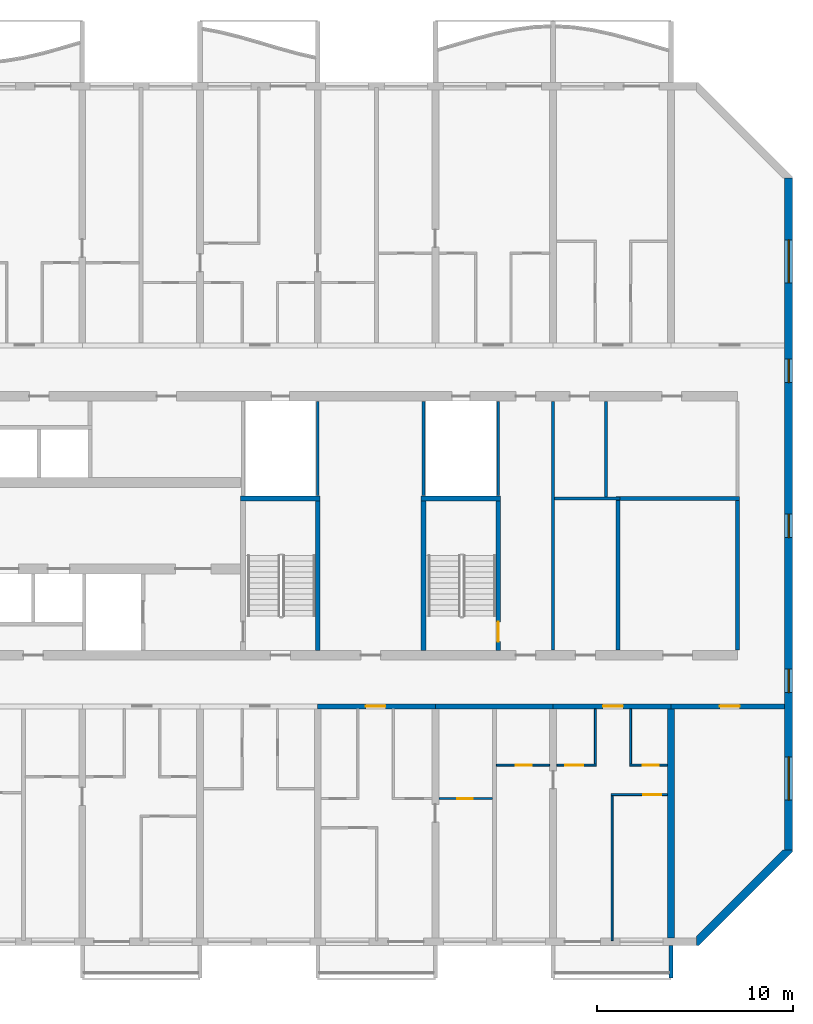
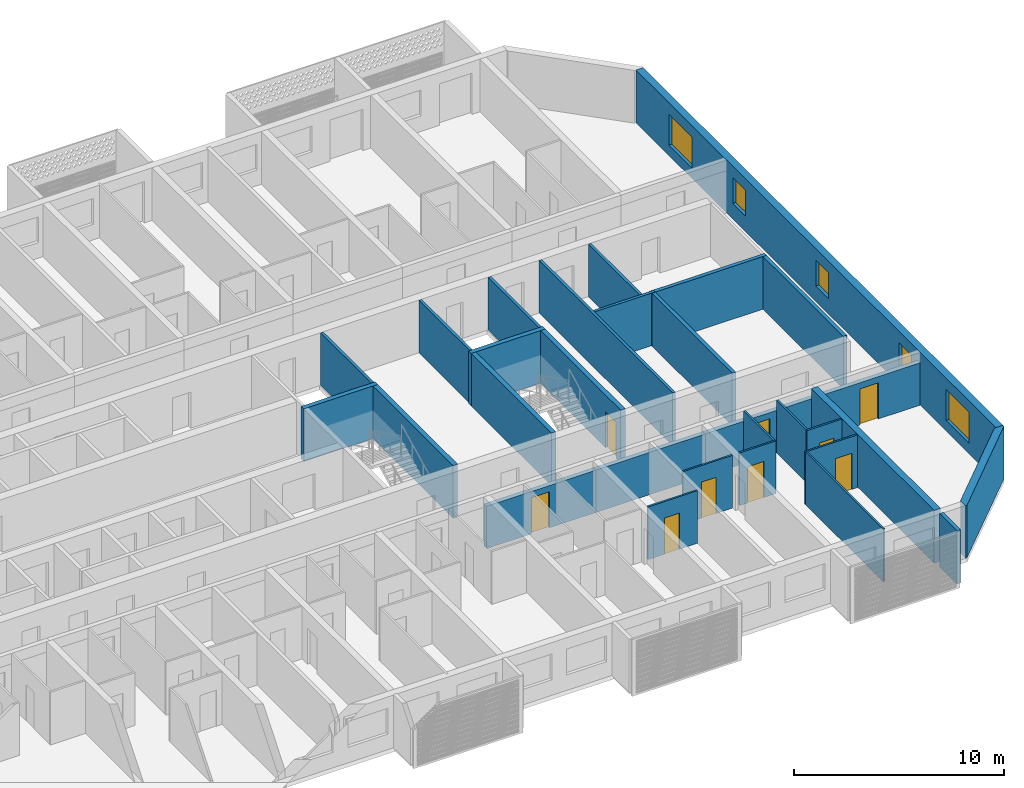
# One storey, part 14 of 26: 30 walls, 9 doors, 5 windows, 14 openings.
"""IFC4 building model written with IfcOpenShell, lengths in metres."""

import ifcopenshell
import ifcopenshell.guid

model = None  # the IFC model being written
_history = None  # IfcOwnerHistory: only IFC2X3 demands one
_inside = {}  # id of a spatial element -> (the spatial element, [elements in it])
_under = {}  # id of a project, library or spatial element -> (it, [spatial elements below it])
_declared = {}  # id of a project -> (the project, [libraries it declares])
_typed = {}  # id of a type object -> (the type object, [elements of that type])
_made_of = {}  # id of a material, layer set ... -> (it, [elements and type objects made of it])


def new_model(schema):
    """Start an empty IFC model of exactly this schema.

    Asked for "IFC4X3", IfcOpenShell would pick the latest addendum, in which some entities
    have other attributes; the version numbers below select the first issue.
    IFC2X3 requires an IfcOwnerHistory on every rooted entity: one is made here for all.
    """
    global model, _history
    if schema == "IFC4X3":
        model = ifcopenshell.file(schema_version=(4, 3, 0, 0))
    else:
        model = ifcopenshell.file(schema=schema)
    _inside.clear()
    _under.clear()
    _declared.clear()
    _typed.clear()
    _made_of.clear()
    _history = None
    if model.schema == "IFC2X3":
        org = make("IfcOrganization", Name="unknown")
        user = make(
            "IfcPersonAndOrganization",
            ThePerson=make("IfcPerson", FamilyName="unknown"),
            TheOrganization=org,
        )
        app = make(
            "IfcApplication",
            ApplicationDeveloper=org,
            Version="unknown",
            ApplicationFullName="unknown",
            ApplicationIdentifier="unknown",
        )
        _history = make(
            "IfcOwnerHistory",
            OwningUser=user,
            OwningApplication=app,
            ChangeAction="ADDED",
            CreationDate=0,
        )
    return model


def make(cls, **values):
    """One entity of the class cls with the attributes given. An attribute that is None is left unset."""
    return model.create_entity(
        cls, **{name: value for name, value in values.items() if value is not None}
    )


def rooted(cls, **values):
    """An entity with a GlobalId (a new one), such as an element, a storey or a relation."""
    return make(cls, GlobalId=ifcopenshell.guid.new(), OwnerHistory=_history, **values)


def si_unit(unit_type, name, prefix=None):
    """IfcSIUnit, for example si_unit("LENGTHUNIT", "METRE", prefix="MILLI")."""
    return make("IfcSIUnit", UnitType=unit_type, Prefix=prefix, Name=name)


def assignment(units):
    """IfcUnitAssignment: the units of a project."""
    return None if units is None else make("IfcUnitAssignment", Units=units)


def point(xyz):
    """IfcCartesianPoint."""
    return None if xyz is None else make("IfcCartesianPoint", Coordinates=xyz)


def direction(xyz):
    """IfcDirection."""
    return None if xyz is None else make("IfcDirection", DirectionRatios=xyz)


def frame(location, z_axis=None, x_axis=None):
    """IfcAxis2Placement3D, a coordinate frame: its origin and axes. An axis left out is left unset."""
    return make(
        "IfcAxis2Placement3D",
        Location=point(location),
        Axis=direction(z_axis),
        RefDirection=direction(x_axis),
    )


def frame_2d(location, x_axis=None):
    """IfcAxis2Placement2D, a coordinate frame in the plane: its origin and x axis."""
    return make(
        "IfcAxis2Placement2D", Location=point(location), RefDirection=direction(x_axis)
    )


def origin():
    """The frame at (0, 0, 0) with its axes left unset."""
    return frame((0.0, 0.0, 0.0))


def place(relative_to, where):
    """IfcLocalPlacement: puts the frame where relative to a parent placement (None: the world)."""
    return make(
        "IfcLocalPlacement", PlacementRelTo=relative_to, RelativePlacement=where
    )


def context(
    kind, dimensions, precision=None, world=None, true_north=None, identifier=None
):
    """IfcGeometricRepresentationContext, for example the 3D "Model" context."""
    return make(
        "IfcGeometricRepresentationContext",
        ContextIdentifier=identifier,
        ContextType=kind,
        CoordinateSpaceDimension=dimensions,
        Precision=precision,
        WorldCoordinateSystem=world,
        TrueNorth=true_north,
    )


def subcontext(parent, identifier, kind, view, scale=None):
    """IfcGeometricRepresentationSubContext, for example "Body" below "Model"."""
    return make(
        "IfcGeometricRepresentationSubContext",
        ContextIdentifier=identifier,
        ContextType=kind,
        ParentContext=parent,
        TargetScale=scale,
        TargetView=view,
    )


def project(units=None, contexts=None):
    """IfcProject with its units and contexts."""
    return rooted(
        "IfcProject",
        Name="project",
        RepresentationContexts=contexts,
        UnitsInContext=assignment(units),
    )


def spatial(cls, under=None, at=None, **own):
    """A site, building, storey or space (cls), placed at a placement, below another one or the project."""
    s = rooted(cls, ObjectPlacement=at, **own)
    if under is not None:
        _under.setdefault(under.id(), (under, []))[1].append(s)
    return s


def polyline(points):
    """IfcPolyline through the points."""
    return make("IfcPolyline", Points=[point(p) for p in points])


def profile(cls, at=None, kind="AREA", **sizes):
    """A parametric profile (cls). Its sizes go by their IFC names, for example OverallWidth=200.0."""
    return make(cls, ProfileType=kind, Position=at, **sizes)


def rectangle(**sizes):
    """IfcRectangleProfileDef."""
    return profile("IfcRectangleProfileDef", **sizes)


def outline(outer, holes=None, kind="AREA"):
    """IfcArbitraryClosedProfileDef: a profile drawn as a closed curve; with holes, ...WithVoids."""
    if holes is None:
        return make("IfcArbitraryClosedProfileDef", ProfileType=kind, OuterCurve=outer)
    return make(
        "IfcArbitraryProfileDefWithVoids",
        ProfileType=kind,
        OuterCurve=outer,
        InnerCurves=holes,
    )


def extrude(swept, where, along, depth):
    """IfcExtrudedAreaSolid: the profile swept, set in the frame where, extruded along a direction by depth."""
    return make(
        "IfcExtrudedAreaSolid",
        SweptArea=swept,
        Position=where,
        ExtrudedDirection=direction(along),
        Depth=depth,
    )


def shape(context_of_items, identifier, shape_type, items):
    """IfcShapeRepresentation: the items that make up one representation, for example the "Body"."""
    return make(
        "IfcShapeRepresentation",
        ContextOfItems=context_of_items,
        RepresentationIdentifier=identifier,
        RepresentationType=shape_type,
        Items=items,
    )


def source(mapping_origin, context_of_items, identifier, shape_type, items):
    """IfcRepresentationMap: a shape defined once, which mapped items show again and again."""
    return make(
        "IfcRepresentationMap",
        MappingOrigin=mapping_origin,
        MappedRepresentation=shape(context_of_items, identifier, shape_type, items),
    )


def transform(
    local_origin,
    x_axis=None,
    y_axis=None,
    z_axis=None,
    scale=None,
    scale2=None,
    scale3=None,
    uniform=True,
):
    """IfcCartesianTransformationOperator3D, or its non-uniform kind. x_axis, y_axis, z_axis: its Axis1, 2, 3."""
    if uniform:
        return make(
            "IfcCartesianTransformationOperator3D",
            Axis1=direction(x_axis),
            Axis2=direction(y_axis),
            LocalOrigin=point(local_origin),
            Scale=scale,
            Axis3=direction(z_axis),
        )
    return make(
        "IfcCartesianTransformationOperator3DnonUniform",
        Axis1=direction(x_axis),
        Axis2=direction(y_axis),
        LocalOrigin=point(local_origin),
        Scale=scale,
        Axis3=direction(z_axis),
        Scale2=scale2,
        Scale3=scale3,
    )


def mapped(mapping_source, mapping_target):
    """IfcMappedItem: shows the shape of a source again, moved by a transform."""
    return make(
        "IfcMappedItem", MappingSource=mapping_source, MappingTarget=mapping_target
    )


def material(Name=None, Category=None):
    """IfcMaterial."""
    return make("IfcMaterial", Name=Name, Category=Category)


def layer(
    of_material, thickness, ventilated=None, Name=None, Category=None, Priority=None
):
    """IfcMaterialLayer: one layer of a wall or slab, of a material (None: an air gap)."""
    return make(
        "IfcMaterialLayer",
        Material=of_material,
        LayerThickness=thickness,
        IsVentilated=ventilated,
        Name=Name,
        Category=Category,
        Priority=Priority,
    )


def layer_set(layers, Name=None):
    """IfcMaterialLayerSet."""
    return make("IfcMaterialLayerSet", MaterialLayers=layers, LayerSetName=Name)


def made_of(thing, what):
    """Note that an element or type object is made of a material, layer set ...; save() writes the relation."""
    if what is not None:
        _made_of.setdefault(what.id(), (what, []))[1].append(thing)
    return thing


def type_object(cls, material=None, **own):
    """A type object (cls), such as IfcWallType, which elements share."""
    return made_of(rooted(cls, **own), material)


def element(
    cls,
    number,
    at=None,
    inside=None,
    cuts=None,
    type_object=None,
    material=None,
    context=None,
    identifier="Body",
    shape_type=None,
    held_by="IfcProductDefinitionShape",
    body=None,
    shapes=None,
    **own,
):
    """One element of the class cls, such as IfcWall. Its Tag is "e" and its number.

    at: its placement. inside: the storey or other place that contains it. cuts: it is an
    opening in that element (IfcRelVoidsElement). A single representation is given by context,
    identifier, shape_type and body (its items); several are given by shapes. held_by: the class
    of the entity that holds the representations. save() writes the other relations.
    """
    e = rooted(cls, Tag="e%d" % number, ObjectPlacement=at, **own)
    if body is not None:
        shapes = [shape(context, identifier, shape_type, body)]
    if shapes is not None:
        e.Representation = make(held_by, Representations=shapes)
    if inside is not None:
        _inside.setdefault(inside.id(), (inside, []))[1].append(e)
    if cuts is not None:
        rooted(
            "IfcRelVoidsElement", RelatingBuildingElement=cuts, RelatedOpeningElement=e
        )
    if type_object is not None:
        _typed.setdefault(type_object.id(), (type_object, []))[1].append(e)
    return made_of(e, material)


def fill(opening, filler):
    """IfcRelFillsElement: the door or window that sits in an opening."""
    return rooted(
        "IfcRelFillsElement",
        RelatingOpeningElement=opening,
        RelatedBuildingElement=filler,
    )


def aggregate(whole, parts):
    """IfcRelAggregates: a whole, such as a stair, and the parts it consists of."""
    return rooted("IfcRelAggregates", RelatingObject=whole, RelatedObjects=parts)


def save(model, path):
    """Write the relations noted so far, then the file.

    IfcRelAggregates (storeys below a building ...), IfcRelContainedInSpatialStructure (elements
    in a storey), IfcRelDefinesByType, IfcRelAssociatesMaterial and IfcRelDeclares: one each for
    every whole, place, type object, material and project.
    """
    for whole, parts in _under.values():
        aggregate(whole, parts)
    for where, things in _inside.values():
        rooted(
            "IfcRelContainedInSpatialStructure",
            RelatedElements=things,
            RelatingStructure=where,
        )
    for kind, things in _typed.values():
        rooted("IfcRelDefinesByType", RelatedObjects=things, RelatingType=kind)
    for what, things in _made_of.values():
        rooted("IfcRelAssociatesMaterial", RelatedObjects=things, RelatingMaterial=what)
    for by, libraries in _declared.values():
        rooted("IfcRelDeclares", RelatingContext=by, RelatedDefinitions=libraries)
    model.write(path)


model = new_model("IFC4")

# Units and contexts
model_context = context("Model", 3, precision=1e-05, world=origin(), true_north=direction((0.0, 1.0)))
body_context = subcontext(model_context, "Body", "Model", "MODEL_VIEW")
ifc_project = project(units=[si_unit("LENGTHUNIT", "METRE"), si_unit("AREAUNIT", "SQUARE_METRE"), si_unit("VOLUMEUNIT", "CUBIC_METRE"), si_unit("PLANEANGLEUNIT", "RADIAN"), si_unit("MASSUNIT", "GRAM", prefix="KILO")], contexts=[model_context])

# Site, building, storey
site_placement = place(None, origin())
site = spatial("IfcSite", under=ifc_project, at=site_placement, CompositionType="ELEMENT")
building_placement = place(site_placement, origin())
building = spatial("IfcBuilding", under=site, at=building_placement, Name="Poui Terraces", CompositionType="ELEMENT")
storey_placement = place(building_placement, frame((0.0, 0.0, 79.5)))
storey = spatial("IfcBuildingStorey", under=building, at=storey_placement, Name="L21", CompositionType="ELEMENT", Elevation=79.5)

# Wall
ifc_material_1 = material(Name="Fire-rated plasterboard wall")
ifc_layer_1 = layer(ifc_material_1, 0.14990234375)
ifc_layer_set_1 = layer_set([ifc_layer_1], Name="Fire-rated plasterboard wall")
wall_type_1 = type_object("IfcWallType", Name="CORRIDOR WALL 150", PredefinedType="PARTITIONING", material=ifc_layer_set_1)
wall_1_placement = place(storey_placement, frame((84.0, 14.860107421875, 0.0), z_axis=(0.0, 0.0, 1.0), x_axis=(0.0, 1.0, 0.0)))
element("IfcWall", 1, at=wall_1_placement, inside=storey, type_object=wall_type_1, Name="CORRIDOR WALL 150", PredefinedType="PARTITIONING", context=body_context, shape_type="SweptSolid", body=[
    extrude(rectangle(XDim=12.679931640625, YDim=0.14990234375, at=frame_2d((6.33984375, 0.0))), origin(), (0.0, 0.0, 1.0), 3.06005859375),
])

# Wall, opening, door
ifc_material_2 = material(Name="Concrete 65 MPa", Category="concrete")
ifc_layer_2 = layer(ifc_material_2, 0.25)
ifc_layer_set_2 = layer_set([ifc_layer_2], Name="Concrete 65 MPa")
wall_type_2 = type_object("IfcWallType", Name="CORRIDOR WALL 250 65MPa", PredefinedType="SHEAR", material=ifc_layer_set_2)
wall_2_placement = place(storey_placement, frame((72.0, 12.0, 0.0), z_axis=(0.0, 0.0, 1.0), x_axis=(1.0, 0.0, 0.0)))
wall_2 = element("IfcWall", 2, at=wall_2_placement, inside=storey, type_object=wall_type_2, Name="CORRIDOR WALL LINE B BAY 12", PredefinedType="SHEAR", context=body_context, shape_type="SweptSolid", body=[
    extrude(rectangle(XDim=6.0, YDim=0.25, at=frame_2d((3.0, 0.0))), origin(), (0.0, 0.0, 1.0), 2.4599609375),
])
opening_1_placement = place(wall_2_placement, frame((2.449951171875, 0.0, 0.0)))
opening_1 = element("IfcOpeningElement", 3, at=opening_1_placement, cuts=wall_2, Name="Opening FD30S", PredefinedType="OPENING", context=body_context, shape_type="SweptSolid", body=[
    extrude(rectangle(XDim=1.0, YDim=2.10009765625, at=frame_2d((0.5, 1.050048828125))), frame((0.0, 0.135009765625, 0.0), z_axis=(0.0, -1.0, 0.0), x_axis=(1.0, 0.0, 0.0)), (0.0, 0.0, 1.0), 0.27001953125),
])
ifc_material_3 = material(Name="Steel fire door", Category="steel")
door_type_1 = type_object("IfcDoorType", Name="FLAT ENTRANCE DOOR 1000 X 2100", OperationType="NOTDEFINED", PredefinedType="DOOR", material=ifc_material_3)
door_1_placement = place(opening_1_placement, frame((1.0, 0.0, 0.0), z_axis=(0.0, 0.0, 1.0), x_axis=(-1.0, 0.0, 0.0)))
door_1 = element("IfcDoor", 4, at=door_1_placement, inside=storey, type_object=door_type_1, Name="FLAT ENTRANCE DOOR 125", OperationType="SINGLE_SWING_RIGHT", OverallHeight=2.10009765625, OverallWidth=1.0, PredefinedType="DOOR", context=body_context, shape_type="SweptSolid", body=[
    extrude(rectangle(XDim=1.0, YDim=2.10009765625, at=frame_2d((0.5, 1.050048828125))), frame((0.0, 0.02490234375, 0.0), z_axis=(0.0, -1.0, 0.0), x_axis=(1.0, 0.0, 0.0)), (0.0, 0.0, 1.0), 0.050048828125),
])
fill(opening_1, door_1)

# Wall
wall_3_placement = place(storey_placement, frame((78.0, 12.0, 0.0), z_axis=(0.0, 0.0, 1.0), x_axis=(1.0, 0.0, 0.0)))
element("IfcWall", 5, at=wall_3_placement, inside=storey, type_object=wall_type_2, Name="CORRIDOR WALL LINE B BAY 13", PredefinedType="SHEAR", context=body_context, shape_type="SweptSolid", body=[
    extrude(rectangle(XDim=6.0, YDim=0.25, at=frame_2d((3.0, 0.0))), origin(), (0.0, 0.0, 1.0), 2.4599609375),
])

# Wall, opening, door
wall_4_placement = place(storey_placement, frame((84.0, 12.0, 0.0), z_axis=(0.0, 0.0, 1.0), x_axis=(1.0, 0.0, 0.0)))
wall_4 = element("IfcWall", 6, at=wall_4_placement, inside=storey, type_object=wall_type_2, Name="CORRIDOR WALL LINE B BAY 14", PredefinedType="SHEAR", context=body_context, shape_type="SweptSolid", body=[
    extrude(rectangle(XDim=6.0, YDim=0.25, at=frame_2d((3.0, 0.0))), origin(), (0.0, 0.0, 1.0), 2.4599609375),
])
opening_2_placement = place(wall_4_placement, frame((2.550048828125, 0.0, 0.0)))
opening_2 = element("IfcOpeningElement", 7, at=opening_2_placement, cuts=wall_4, Name="Opening FD30S", PredefinedType="OPENING", context=body_context, shape_type="SweptSolid", body=[
    extrude(rectangle(XDim=1.0, YDim=2.10009765625, at=frame_2d((0.5, 1.050048828125))), frame((0.0, 0.135009765625, 0.0), z_axis=(0.0, -1.0, 0.0), x_axis=(1.0, 0.0, 0.0)), (0.0, 0.0, 1.0), 0.27001953125),
])
door_2_placement = place(opening_2_placement, frame((1.0, 0.0, 0.0), z_axis=(0.0, 0.0, 1.0), x_axis=(-1.0, 0.0, 0.0)))
door_2 = element("IfcDoor", 8, at=door_2_placement, inside=storey, type_object=door_type_1, Name="FLAT ENTRANCE DOOR 131", OperationType="SINGLE_SWING_LEFT", OverallHeight=2.10009765625, OverallWidth=1.0, PredefinedType="DOOR", context=body_context, shape_type="SweptSolid", body=[
    extrude(rectangle(XDim=1.0, YDim=2.10009765625, at=frame_2d((0.5, 1.050048828125))), frame((0.0, 0.02490234375, 0.0), z_axis=(0.0, -1.0, 0.0), x_axis=(1.0, 0.0, 0.0)), (0.0, 0.0, 1.0), 0.050048828125),
])
fill(opening_2, door_2)

wall_5_placement = place(storey_placement, frame((90.0, 12.0, 0.0), z_axis=(0.0, 0.0, 1.0), x_axis=(1.0, 0.0, 0.0)))
wall_5 = element("IfcWall", 9, at=wall_5_placement, inside=storey, type_object=wall_type_2, Name="CORRIDOR WALL LINE B BAY 15", PredefinedType="SHEAR", context=body_context, shape_type="SweptSolid", body=[
    extrude(rectangle(XDim=5.800048828125, YDim=0.25, at=frame_2d((2.89990234375, 0.0))), origin(), (0.0, 0.0, 1.0), 2.4599609375),
])
opening_3_placement = place(wall_5_placement, frame((2.5, 0.0, 0.0)))
opening_3 = element("IfcOpeningElement", 10, at=opening_3_placement, cuts=wall_5, Name="Opening D100", PredefinedType="OPENING", context=body_context, shape_type="SweptSolid", body=[
    extrude(rectangle(XDim=1.0, YDim=2.10009765625, at=frame_2d((0.5, 1.050048828125))), frame((0.0, 0.135009765625, 0.0), z_axis=(0.0, -1.0, 0.0), x_axis=(1.0, 0.0, 0.0)), (0.0, 0.0, 1.0), 0.27001953125),
])
ifc_material_4 = material(Name="Solid core timber door", Category="wood")
door_type_2 = type_object("IfcDoorType", Name="ACCESSIBLE INTERNAL DOOR 1000 X 2100", OperationType="NOTDEFINED", PredefinedType="DOOR", material=ifc_material_4)
door_3_placement = place(opening_3_placement, frame((1.0, 0.0, 0.0), z_axis=(0.0, 0.0, 1.0), x_axis=(-1.0, 0.0, 0.0)))
door_3 = element("IfcDoor", 11, at=door_3_placement, inside=storey, type_object=door_type_2, Name="ACCESSIBLE INTERNAL DOOR 134", OperationType="SINGLE_SWING_RIGHT", OverallHeight=2.10009765625, OverallWidth=1.0, PredefinedType="DOOR", context=body_context, shape_type="SweptSolid", body=[
    extrude(rectangle(XDim=1.0, YDim=2.10009765625, at=frame_2d((0.5, 1.050048828125))), frame((0.0, 0.02490234375, 0.0), z_axis=(0.0, -1.0, 0.0), x_axis=(1.0, 0.0, 0.0)), (0.0, 0.0, 1.0), 0.050048828125),
])
fill(opening_3, door_3)

# Wall
ifc_layer_3 = layer(ifc_material_2, 0.35009765625)
ifc_layer_set_3 = layer_set([ifc_layer_3], Name="Concrete 65 MPa")
wall_type_3 = type_object("IfcWallType", Name="CROSS WALL 350 65MPa", PredefinedType="SHEAR", material=ifc_layer_set_3)
wall_6_placement = place(storey_placement, frame((90.0, 0.199951171875, 0.0), z_axis=(0.0, 0.0, 1.0), x_axis=(0.0, 1.0, 0.0)))
element("IfcWall", 12, at=wall_6_placement, inside=storey, type_object=wall_type_3, Name="CROSS WALL LINE 16 SOUTH", PredefinedType="SHEAR", context=body_context, shape_type="SweptSolid", body=[
    extrude(rectangle(XDim=11.675048828125, YDim=0.35009765625, at=frame_2d((5.83740234375, 0.0))), origin(), (0.0, 0.0, 1.0), 3.06005859375),
])

# Wall, openings, windows
ifc_layer_4 = layer(ifc_material_2, 0.39990234375)
ifc_layer_set_4 = layer_set([ifc_layer_4], Name="Concrete 65 MPa")
wall_type_4 = type_object("IfcWallType", Name="END WALL 400 65MPa", PredefinedType="SHEAR", material=ifc_layer_set_4)
wall_7_placement = place(storey_placement, frame((96.0, 4.682861328125, 0.0), z_axis=(0.0, 0.0, 1.0), x_axis=(0.0, 1.0, 0.0)))
wall_7 = element("IfcWall", 13, at=wall_7_placement, inside=storey, type_object=wall_type_4, Name="END WALL EAST", PredefinedType="SHEAR", context=body_context, shape_type="SweptSolid", body=[
    extrude(rectangle(XDim=34.234375, YDim=0.39990234375, at=frame_2d((17.1171875, 0.0))), origin(), (0.0, 0.0, 1.0), 3.06005859375),
])
opening_4_placement = place(wall_7_placement, frame((15.917236328125, 0.0, 0.89990234375)))
opening_4 = element("IfcOpeningElement", 14, at=opening_4_placement, cuts=wall_7, Name="Opening W2", PredefinedType="OPENING", context=body_context, shape_type="SweptSolid", body=[
    extrude(rectangle(XDim=1.199951171875, YDim=1.5, at=frame_2d((0.60009765625, 0.75))), frame((0.0, 0.2099609375, 0.0), z_axis=(0.0, -1.0, 0.0), x_axis=(1.0, 0.0, 0.0)), (0.0, 0.0, 1.0), 0.419921875),
])
opening_5_placement = place(wall_7_placement, frame((23.817138671875, 0.0, 0.89990234375)))
opening_5 = element("IfcOpeningElement", 15, at=opening_5_placement, cuts=wall_7, Name="Opening W2", PredefinedType="OPENING", context=body_context, shape_type="SweptSolid", body=[
    extrude(rectangle(XDim=1.199951171875, YDim=1.5, at=frame_2d((0.60009765625, 0.75))), frame((0.0, 0.2099609375, 0.0), z_axis=(0.0, -1.0, 0.0), x_axis=(1.0, 0.0, 0.0)), (0.0, 0.0, 1.0), 0.419921875),
])
opening_6_placement = place(wall_7_placement, frame((8.01708984375, 0.0, 0.89990234375)))
opening_6 = element("IfcOpeningElement", 16, at=opening_6_placement, cuts=wall_7, Name="Opening W2", PredefinedType="OPENING", context=body_context, shape_type="SweptSolid", body=[
    extrude(rectangle(XDim=1.199951171875, YDim=1.5, at=frame_2d((0.60009765625, 0.75))), frame((0.0, 0.2099609375, 0.0), z_axis=(0.0, -1.0, 0.0), x_axis=(1.0, 0.0, 0.0)), (0.0, 0.0, 1.0), 0.419921875),
])
opening_7_placement = place(wall_7_placement, frame((28.8935546875, 0.0, 0.60009765625)))
opening_7 = element("IfcOpeningElement", 17, at=opening_7_placement, cuts=wall_7, Name="Opening W3", PredefinedType="OPENING", context=body_context, shape_type="SweptSolid", body=[
    extrude(rectangle(XDim=2.199951171875, YDim=1.800048828125, at=frame_2d((1.10009765625, 0.89990234375))), frame((0.0, 0.2099609375, 0.0), z_axis=(0.0, -1.0, 0.0), x_axis=(1.0, 0.0, 0.0)), (0.0, 0.0, 1.0), 0.419921875),
])
opening_8_placement = place(wall_7_placement, frame((2.541015625, 0.0, 0.60009765625)))
opening_8 = element("IfcOpeningElement", 18, at=opening_8_placement, cuts=wall_7, Name="Opening W3", PredefinedType="OPENING", context=body_context, shape_type="SweptSolid", body=[
    extrude(rectangle(XDim=2.199951171875, YDim=1.800048828125, at=frame_2d((1.10009765625, 0.89990234375))), frame((0.0, 0.2099609375, 0.0), z_axis=(0.0, -1.0, 0.0), x_axis=(1.0, 0.0, 0.0)), (0.0, 0.0, 1.0), 0.419921875),
])
ifc_material_5 = material(Name="Clear glass in aluminium frame", Category="aluminium")
window_type_1 = type_object("IfcWindowType", Name="WINDOW 1200X1500", PartitioningType="SINGLE_PANEL", PredefinedType="WINDOW", material=ifc_material_5)
window_1_placement = place(opening_4_placement, origin())
window_1 = element("IfcWindow", 19, at=window_1_placement, inside=storey, type_object=window_type_1, Name="W2 WINDOW", OverallHeight=1.5, OverallWidth=1.199951171875, PartitioningType="SINGLE_PANEL", PredefinedType="WINDOW", context=body_context, shape_type="SweptSolid", body=[
    extrude(rectangle(XDim=1.199951171875, YDim=1.5, at=frame_2d((0.60009765625, 0.75))), frame((0.0, 0.030029296875, 0.0), z_axis=(0.0, -1.0, 0.0), x_axis=(1.0, 0.0, 0.0)), (0.0, 0.0, 1.0), 0.06005859375),
])
fill(opening_4, window_1)
window_2_placement = place(opening_5_placement, origin())
window_2 = element("IfcWindow", 20, at=window_2_placement, inside=storey, type_object=window_type_1, Name="W2 WINDOW", OverallHeight=1.5, OverallWidth=1.199951171875, PartitioningType="SINGLE_PANEL", PredefinedType="WINDOW", context=body_context, shape_type="SweptSolid", body=[
    extrude(rectangle(XDim=1.199951171875, YDim=1.5, at=frame_2d((0.60009765625, 0.75))), frame((0.0, 0.030029296875, 0.0), z_axis=(0.0, -1.0, 0.0), x_axis=(1.0, 0.0, 0.0)), (0.0, 0.0, 1.0), 0.06005859375),
])
fill(opening_5, window_2)
window_3_placement = place(opening_6_placement, origin())
window_3 = element("IfcWindow", 21, at=window_3_placement, inside=storey, type_object=window_type_1, Name="W2 WINDOW", OverallHeight=1.5, OverallWidth=1.199951171875, PartitioningType="SINGLE_PANEL", PredefinedType="WINDOW", context=body_context, shape_type="SweptSolid", body=[
    extrude(rectangle(XDim=1.199951171875, YDim=1.5, at=frame_2d((0.60009765625, 0.75))), frame((0.0, 0.030029296875, 0.0), z_axis=(0.0, -1.0, 0.0), x_axis=(1.0, 0.0, 0.0)), (0.0, 0.0, 1.0), 0.06005859375),
])
fill(opening_6, window_3)
window_type_2 = type_object("IfcWindowType", Name="WINDOW 2200X1800", PartitioningType="DOUBLE_PANEL_HORIZONTAL", PredefinedType="WINDOW", material=ifc_material_5)
window_4_placement = place(opening_7_placement, origin())
window_4 = element("IfcWindow", 22, at=window_4_placement, inside=storey, type_object=window_type_2, Name="W3 WINDOW", OverallHeight=1.800048828125, OverallWidth=2.199951171875, PartitioningType="DOUBLE_PANEL_HORIZONTAL", PredefinedType="WINDOW", context=body_context, shape_type="SweptSolid", body=[
    extrude(rectangle(XDim=2.199951171875, YDim=1.800048828125, at=frame_2d((1.10009765625, 0.89990234375))), frame((0.0, 0.030029296875, 0.0), z_axis=(0.0, -1.0, 0.0), x_axis=(1.0, 0.0, 0.0)), (0.0, 0.0, 1.0), 0.06005859375),
])
fill(opening_7, window_4)
window_5_placement = place(opening_8_placement, origin())
window_5 = element("IfcWindow", 23, at=window_5_placement, inside=storey, type_object=window_type_2, Name="W3 WINDOW", OverallHeight=1.800048828125, OverallWidth=2.199951171875, PartitioningType="DOUBLE_PANEL_HORIZONTAL", PredefinedType="WINDOW", context=body_context, shape_type="SweptSolid", body=[
    extrude(rectangle(XDim=2.199951171875, YDim=1.800048828125, at=frame_2d((1.10009765625, 0.89990234375))), frame((0.0, 0.030029296875, 0.0), z_axis=(0.0, -1.0, 0.0), x_axis=(1.0, 0.0, 0.0)), (0.0, 0.0, 1.0), 0.06005859375),
])
fill(opening_8, window_5)

# Wall, opening, door
ifc_material_6 = material(Name="Plasterboard partition")
ifc_layer_5 = layer(ifc_material_6, 0.10009765625)
ifc_layer_set_5 = layer_set([ifc_layer_5], Name="Plasterboard partition")
wall_type_5 = type_object("IfcWallType", Name="FLAT PARTITION 100", PredefinedType="PARTITIONING", material=ifc_layer_set_5)
wall_8_placement = place(storey_placement, frame((78.18505859375, 7.300048828125, 0.0), z_axis=(0.0, 0.0, 1.0), x_axis=(1.0, 0.0, 0.0)))
wall_8 = element("IfcWall", 24, at=wall_8_placement, inside=storey, type_object=wall_type_5, Name="FLAT PARTITION 100", PredefinedType="PARTITIONING", context=body_context, shape_type="SweptSolid", body=[
    extrude(rectangle(XDim=2.71484375, YDim=0.10009765625, at=frame_2d((1.357421875, 0.0))), origin(), (0.0, 0.0, 1.0), 3.06005859375),
])
opening_9_placement = place(wall_8_placement, frame((0.9150390625, 0.0, 0.0)))
opening_9 = element("IfcOpeningElement", 25, at=opening_9_placement, cuts=wall_8, Name="Opening D80", PredefinedType="OPENING", context=body_context, shape_type="SweptSolid", body=[
    extrude(rectangle(XDim=0.800048828125, YDim=2.10009765625, at=frame_2d((0.39990234375, 1.050048828125))), frame((0.0, 0.06005859375, 0.0), z_axis=(0.0, -1.0, 0.0), x_axis=(1.0, 0.0, 0.0)), (0.0, 0.0, 1.0), 0.1201171875),
])
door_type_3 = type_object("IfcDoorType", Name="BATHROOM, LAUNDRY AND STORE DOOR 800 X 2100", OperationType="NOTDEFINED", PredefinedType="DOOR", material=ifc_material_4)
door_4_placement = place(opening_9_placement, origin())
door_4 = element("IfcDoor", 26, at=door_4_placement, inside=storey, type_object=door_type_3, Name="BATHROOM, LAUNDRY AND STORE DOOR 122", OperationType="SINGLE_SWING_RIGHT", OverallHeight=2.10009765625, OverallWidth=0.800048828125, PredefinedType="DOOR", context=body_context, shape_type="SweptSolid", body=[
    extrude(rectangle(XDim=0.800048828125, YDim=2.10009765625, at=frame_2d((0.39990234375, 1.050048828125))), frame((0.0, 0.02490234375, 0.0), z_axis=(0.0, -1.0, 0.0), x_axis=(1.0, 0.0, 0.0)), (0.0, 0.0, 1.0), 0.050048828125),
])
fill(opening_9, door_4)

wall_9_placement = place(storey_placement, frame((86.949951171875, 7.5, 0.0), z_axis=(0.0, 0.0, 1.0), x_axis=(1.0, 0.0, 0.0)))
wall_9 = element("IfcWall", 27, at=wall_9_placement, inside=storey, type_object=wall_type_5, Name="FLAT PARTITION 100", PredefinedType="PARTITIONING", context=body_context, shape_type="SweptSolid", body=[
    extrude(rectangle(XDim=2.864990234375, YDim=0.10009765625, at=frame_2d((1.4326171875, 0.0))), origin(), (0.0, 0.0, 1.0), 3.06005859375),
])
opening_10_placement = place(wall_9_placement, frame((1.64990234375, 0.0, 0.0)))
opening_10 = element("IfcOpeningElement", 28, at=opening_10_placement, cuts=wall_9, Name="Opening D90", PredefinedType="OPENING", context=body_context, shape_type="SweptSolid", body=[
    extrude(rectangle(XDim=0.89990234375, YDim=2.10009765625, at=frame_2d((0.449951171875, 1.050048828125))), frame((0.0, 0.06005859375, 0.0), z_axis=(0.0, -1.0, 0.0), x_axis=(1.0, 0.0, 0.0)), (0.0, 0.0, 1.0), 0.1201171875),
])
door_type_4 = type_object("IfcDoorType", Name="INTERNAL DOOR 900 X 2100", OperationType="NOTDEFINED", PredefinedType="DOOR", material=ifc_material_4)
door_5_placement = place(opening_10_placement, origin())
door_5 = element("IfcDoor", 29, at=door_5_placement, inside=storey, type_object=door_type_4, Name="INTERNAL DOOR 133", OperationType="SINGLE_SWING_LEFT", OverallHeight=2.10009765625, OverallWidth=0.89990234375, PredefinedType="DOOR", context=body_context, shape_type="SweptSolid", body=[
    extrude(rectangle(XDim=0.89990234375, YDim=2.10009765625, at=frame_2d((0.449951171875, 1.050048828125))), frame((0.0, 0.02490234375, 0.0), z_axis=(0.0, -1.0, 0.0), x_axis=(1.0, 0.0, 0.0)), (0.0, 0.0, 1.0), 0.050048828125),
])
fill(opening_10, door_5)

wall_10_placement = place(storey_placement, frame((81.10009765625, 9.0, 0.0), z_axis=(0.0, 0.0, 1.0), x_axis=(1.0, 0.0, 0.0)))
wall_10 = element("IfcWall", 30, at=wall_10_placement, inside=storey, type_object=wall_type_5, Name="FLAT PARTITION 100", PredefinedType="PARTITIONING", context=body_context, shape_type="SweptSolid", body=[
    extrude(rectangle(XDim=2.71484375, YDim=0.10009765625, at=frame_2d((1.357421875, 0.0))), origin(), (0.0, 0.0, 1.0), 3.06005859375),
])
opening_11_placement = place(wall_10_placement, frame((1.0, 0.0, 0.0)))
opening_11 = element("IfcOpeningElement", 31, at=opening_11_placement, cuts=wall_10, Name="Opening D80", PredefinedType="OPENING", context=body_context, shape_type="SweptSolid", body=[
    extrude(rectangle(XDim=0.800048828125, YDim=2.10009765625, at=frame_2d((0.39990234375, 1.050048828125))), frame((0.0, 0.06005859375, 0.0), z_axis=(0.0, -1.0, 0.0), x_axis=(1.0, 0.0, 0.0)), (0.0, 0.0, 1.0), 0.1201171875),
])
door_6_placement = place(opening_11_placement, origin())
door_6 = element("IfcDoor", 32, at=door_6_placement, inside=storey, type_object=door_type_3, Name="BATHROOM, LAUNDRY AND STORE DOOR 128", OperationType="SINGLE_SWING_LEFT", OverallHeight=2.10009765625, OverallWidth=0.800048828125, PredefinedType="DOOR", context=body_context, shape_type="SweptSolid", body=[
    extrude(rectangle(XDim=0.800048828125, YDim=2.10009765625, at=frame_2d((0.39990234375, 1.050048828125))), frame((0.0, 0.02490234375, 0.0), z_axis=(0.0, -1.0, 0.0), x_axis=(1.0, 0.0, 0.0)), (0.0, 0.0, 1.0), 0.050048828125),
])
fill(opening_11, door_6)

wall_11_placement = place(storey_placement, frame((84.18505859375, 9.0, 0.0), z_axis=(0.0, 0.0, 1.0), x_axis=(1.0, 0.0, 0.0)))
wall_11 = element("IfcWall", 33, at=wall_11_placement, inside=storey, type_object=wall_type_5, Name="FLAT PARTITION 100", PredefinedType="PARTITIONING", context=body_context, shape_type="SweptSolid", body=[
    extrude(rectangle(XDim=2.014892578125, YDim=0.10009765625, at=frame_2d((1.00732421875, 0.0))), origin(), (0.0, 0.0, 1.0), 3.06005859375),
])
opening_12_placement = place(wall_11_placement, frame((0.43994140625, 0.0, 0.0)))
opening_12 = element("IfcOpeningElement", 34, at=opening_12_placement, cuts=wall_11, Name="Opening D90", PredefinedType="OPENING", context=body_context, shape_type="SweptSolid", body=[
    extrude(rectangle(XDim=0.89990234375, YDim=2.10009765625, at=frame_2d((0.449951171875, 1.050048828125))), frame((0.0, 0.06005859375, 0.0), z_axis=(0.0, -1.0, 0.0), x_axis=(1.0, 0.0, 0.0)), (0.0, 0.0, 1.0), 0.1201171875),
])
door_7_placement = place(opening_12_placement, origin())
door_7 = element("IfcDoor", 35, at=door_7_placement, inside=storey, type_object=door_type_4, Name="INTERNAL DOOR 130", OperationType="SINGLE_SWING_LEFT", OverallHeight=2.10009765625, OverallWidth=0.89990234375, PredefinedType="DOOR", context=body_context, shape_type="SweptSolid", body=[
    extrude(rectangle(XDim=0.89990234375, YDim=2.10009765625, at=frame_2d((0.449951171875, 1.050048828125))), frame((0.0, 0.02490234375, 0.0), z_axis=(0.0, -1.0, 0.0), x_axis=(1.0, 0.0, 0.0)), (0.0, 0.0, 1.0), 0.050048828125),
])
fill(opening_12, door_7)

wall_12_placement = place(storey_placement, frame((87.89990234375, 9.0, 0.0), z_axis=(0.0, 0.0, 1.0), x_axis=(1.0, 0.0, 0.0)))
wall_12 = element("IfcWall", 36, at=wall_12_placement, inside=storey, type_object=wall_type_5, Name="FLAT PARTITION 100", PredefinedType="PARTITIONING", context=body_context, shape_type="SweptSolid", body=[
    extrude(rectangle(XDim=1.9150390625, YDim=0.10009765625, at=frame_2d((0.95751953125, 0.0))), origin(), (0.0, 0.0, 1.0), 3.06005859375),
])
opening_13_placement = place(wall_12_placement, frame((0.675048828125, 0.0, 0.0)))
opening_13 = element("IfcOpeningElement", 37, at=opening_13_placement, cuts=wall_12, Name="Opening D80", PredefinedType="OPENING", context=body_context, shape_type="SweptSolid", body=[
    extrude(rectangle(XDim=0.800048828125, YDim=2.10009765625, at=frame_2d((0.39990234375, 1.050048828125))), frame((0.0, 0.06005859375, 0.0), z_axis=(0.0, -1.0, 0.0), x_axis=(1.0, 0.0, 0.0)), (0.0, 0.0, 1.0), 0.1201171875),
])
door_8_placement = place(opening_13_placement, origin())
door_8 = element("IfcDoor", 38, at=door_8_placement, inside=storey, type_object=door_type_3, Name="BATHROOM, LAUNDRY AND STORE DOOR 132", OperationType="SINGLE_SWING_RIGHT", OverallHeight=2.10009765625, OverallWidth=0.800048828125, PredefinedType="DOOR", context=body_context, shape_type="SweptSolid", body=[
    extrude(rectangle(XDim=0.800048828125, YDim=2.10009765625, at=frame_2d((0.39990234375, 1.050048828125))), frame((0.0, 0.02490234375, 0.0), z_axis=(0.0, -1.0, 0.0), x_axis=(1.0, 0.0, 0.0)), (0.0, 0.0, 1.0), 0.050048828125),
])
fill(opening_13, door_8)

# Walls
wall_13_placement = place(storey_placement, frame((86.14990234375, 9.050048828125, 0.0), z_axis=(0.0, 0.0, 1.0), x_axis=(0.0, 1.0, 0.0)))
element("IfcWall", 39, at=wall_13_placement, inside=storey, type_object=wall_type_5, Name="FLAT PARTITION 100", PredefinedType="PARTITIONING", context=body_context, shape_type="SweptSolid", body=[
    extrude(rectangle(XDim=2.81494140625, YDim=0.10009765625, at=frame_2d((1.407470703125, 0.0))), origin(), (0.0, 0.0, 1.0), 3.06005859375),
])
wall_14_placement = place(storey_placement, frame((87.0, 0.06005859375, 0.0), z_axis=(0.0, 0.0, 1.0), x_axis=(0.0, 1.0, 0.0)))
element("IfcWall", 40, at=wall_14_placement, inside=storey, type_object=wall_type_5, Name="FLAT PARTITION 100", PredefinedType="PARTITIONING", context=body_context, shape_type="SweptSolid", body=[
    extrude(rectangle(XDim=7.389892578125, YDim=0.10009765625, at=frame_2d((3.69482421875, 0.0))), origin(), (0.0, 0.0, 1.0), 3.06005859375),
])
wall_15_placement = place(storey_placement, frame((87.949951171875, 9.050048828125, 0.0), z_axis=(0.0, 0.0, 1.0), x_axis=(0.0, 1.0, 0.0)))
element("IfcWall", 41, at=wall_15_placement, inside=storey, type_object=wall_type_5, Name="FLAT PARTITION 100", PredefinedType="PARTITIONING", context=body_context, shape_type="SweptSolid", body=[
    extrude(rectangle(XDim=2.81494140625, YDim=0.10009765625, at=frame_2d((1.407470703125, 0.0))), origin(), (0.0, 0.0, 1.0), 3.06005859375),
])
ifc_layer_6 = layer(ifc_material_6, 0.14990234375)
ifc_layer_set_6 = layer_set([ifc_layer_6], Name="Plasterboard partition")
wall_type_6 = type_object("IfcWallType", Name="PARTITION WALL 150", PredefinedType="PARTITIONING", material=ifc_layer_set_6)
wall_16_placement = place(storey_placement, frame((84.074951171875, 22.60009765625, 0.0), z_axis=(0.0, 0.0, 1.0), x_axis=(1.0, 0.0, 0.0)))
element("IfcWall", 42, at=wall_16_placement, inside=storey, type_object=wall_type_6, Name="PARTITION WALL 150", PredefinedType="PARTITIONING", context=body_context, shape_type="SweptSolid", body=[
    extrude(rectangle(XDim=3.324951171875, YDim=0.14990234375, at=frame_2d((1.66259765625, 0.0))), origin(), (0.0, 0.0, 1.0), 3.06005859375),
])
wall_17_placement = place(storey_placement, frame((86.699951171875, 22.675048828125, 0.0), z_axis=(0.0, 0.0, 1.0), x_axis=(0.0, 1.0, 0.0)))
element("IfcWall", 43, at=wall_17_placement, inside=storey, type_object=wall_type_6, Name="PARTITION WALL 150", PredefinedType="PARTITIONING", context=body_context, shape_type="SweptSolid", body=[
    extrude(rectangle(XDim=4.864990234375, YDim=0.14990234375, at=frame_2d((2.4326171875, 0.0))), origin(), (0.0, 0.0, 1.0), 3.06005859375),
])
ifc_material_7 = material(Name="Fire-rated masonry wall", Category="masonry")
ifc_layer_7 = layer(ifc_material_7, 0.199951171875)
ifc_layer_set_7 = layer_set([ifc_layer_7], Name="Fire-rated masonry wall")
wall_type_7 = type_object("IfcWallType", Name="PLANT ROOM WALL 200", PredefinedType="PARTITIONING", material=ifc_layer_set_7)
wall_18_placement = place(storey_placement, frame((87.199951171875, 22.60009765625, 0.0), z_axis=(0.0, 0.0, 1.0), x_axis=(1.0, 0.0, 0.0)))
element("IfcWall", 44, at=wall_18_placement, inside=storey, type_object=wall_type_7, Name="PLANT ROOM WALL 200", PredefinedType="PARTITIONING", context=body_context, shape_type="SweptSolid", body=[
    extrude(rectangle(XDim=6.300048828125, YDim=0.199951171875, at=frame_2d((3.14990234375, 0.0))), origin(), (0.0, 0.0, 1.0), 3.06005859375),
])
for number, where, z_axis, x_axis, name in (
    (45, (87.300048828125, 14.860107421875, 0.0), (0.0, 0.0, 1.0), (0.0, 1.0, 0.0), "PLANT ROOM WALL 200"),
    (46, (93.39990234375, 14.860107421875, 0.0), (0.0, 0.0, 1.0), (0.0, 1.0, 0.0), "PLANT ROOM WALL 200"),
):
    element("IfcWall", number, at=place(storey_placement, frame(where, z_axis=z_axis, x_axis=x_axis)), inside=storey, type_object=wall_type_7, Name=name, PredefinedType="PARTITIONING", context=body_context, shape_type="SweptSolid", body=[
        extrude(rectangle(XDim=7.639892578125, YDim=0.199951171875, at=frame_2d((3.81982421875, 0.0))), origin(), (0.0, 0.0, 1.0), 3.06005859375),
    ])
ifc_material_8 = material(Name="Fire-rated plasterboard riser wall")
ifc_layer_8 = layer(ifc_material_8, 0.14990234375)
ifc_layer_set_8 = layer_set([ifc_layer_8], Name="Fire-rated plasterboard riser wall")
wall_type_8 = type_object("IfcWallType", Name="RISER WALL 150", PredefinedType="PARTITIONING", material=ifc_layer_set_8)
for number, where, z_axis, x_axis, name in (
    (47, (72.0, 22.735107421875, 0.0), (0.0, 0.0, 1.0), (0.0, 1.0, 0.0), "RISER WALL 150"),
    (48, (77.39990234375, 22.735107421875, 0.0), (0.0, 0.0, 1.0), (0.0, 1.0, 0.0), "RISER WALL 150"),
    (49, (81.199951171875, 22.735107421875, 0.0), (0.0, 0.0, 1.0), (0.0, 1.0, 0.0), "RISER WALL 150"),
):
    element("IfcWall", number, at=place(storey_placement, frame(where, z_axis=z_axis, x_axis=x_axis)), inside=storey, type_object=wall_type_8, Name=name, PredefinedType="PARTITIONING", context=body_context, shape_type="SweptSolid", body=[
        extrude(rectangle(XDim=4.804931640625, YDim=0.14990234375, at=frame_2d((2.40234375, 0.0))), origin(), (0.0, 0.0, 1.0), 3.06005859375),
    ])
ifc_layer_9 = layer(ifc_material_2, 0.25)
ifc_layer_set_9 = layer_set([ifc_layer_9], Name="Concrete 65 MPa")
wall_type_9 = type_object("IfcWallType", Name="STAIR CORE WALL 250 65 MPA", PredefinedType="SOLIDWALL", material=ifc_layer_set_9)
wall_19_placement = place(storey_placement, frame((72.0, 14.85009765625, 0.0), z_axis=(0.0, 0.0, 1.0), x_axis=(0.0, 1.0, 0.0)))
element("IfcWall", 50, at=wall_19_placement, inside=storey, type_object=wall_type_9, Name="STAIR CORE WALL", PredefinedType="SOLIDWALL", context=body_context, shape_type="SweptSolid", body=[
    extrude(rectangle(XDim=7.625, YDim=0.25, at=frame_2d((3.8125, 0.0))), origin(), (0.0, 0.0, 1.0), 3.06005859375),
])
wall_20_placement = place(storey_placement, frame((68.074951171875, 22.60009765625, 0.0), z_axis=(0.0, 0.0, 1.0), x_axis=(1.0, 0.0, 0.0)))
element("IfcWall", 51, at=wall_20_placement, inside=storey, type_object=wall_type_9, Name="STAIR CORE WALL", PredefinedType="SOLIDWALL", context=body_context, shape_type="SweptSolid", body=[
    extrude(rectangle(XDim=4.050048828125, YDim=0.25, at=frame_2d((2.02490234375, 0.0))), origin(), (0.0, 0.0, 1.0), 3.06005859375),
])
wall_21_placement = place(storey_placement, frame((77.39990234375, 14.85009765625, 0.0), z_axis=(0.0, 0.0, 1.0), x_axis=(0.0, 1.0, 0.0)))
element("IfcWall", 52, at=wall_21_placement, inside=storey, type_object=wall_type_9, Name="STAIR CORE WALL", PredefinedType="SOLIDWALL", context=body_context, shape_type="SweptSolid", body=[
    extrude(rectangle(XDim=7.625, YDim=0.25, at=frame_2d((3.8125, 0.0))), origin(), (0.0, 0.0, 1.0), 3.06005859375),
])

# Wall, opening, door
wall_22_placement = place(storey_placement, frame((81.199951171875, 14.85009765625, 0.0), z_axis=(0.0, 0.0, 1.0), x_axis=(0.0, 1.0, 0.0)))
wall_22 = element("IfcWall", 53, at=wall_22_placement, inside=storey, type_object=wall_type_9, Name="STAIR CORE WALL", PredefinedType="SOLIDWALL", context=body_context, shape_type="SweptSolid", body=[
    extrude(rectangle(XDim=7.625, YDim=0.25, at=frame_2d((3.8125, 0.0))), origin(), (0.0, 0.0, 1.0), 3.06005859375),
])
opening_14_placement = place(wall_22_placement, frame((0.449951171875, 0.0, 0.0)))
opening_14 = element("IfcOpeningElement", 54, at=opening_14_placement, cuts=wall_22, Name="Opening FD60S", PredefinedType="OPENING", context=body_context, shape_type="SweptSolid", body=[
    extrude(rectangle(XDim=1.0, YDim=2.10009765625, at=frame_2d((0.5, 1.050048828125))), frame((0.0, 0.135009765625, 0.0), z_axis=(0.0, -1.0, 0.0), x_axis=(1.0, 0.0, 0.0)), (0.0, 0.0, 1.0), 0.27001953125),
])
door_type_5 = type_object("IfcDoorType", Name="STAIR DOOR 1000 X 2100", OperationType="NOTDEFINED", PredefinedType="DOOR", material=ifc_material_3)
door_9_placement = place(opening_14_placement, origin())
door_9 = element("IfcDoor", 55, at=door_9_placement, inside=storey, type_object=door_type_5, Name="STAIR DOOR 150", OperationType="SINGLE_SWING_LEFT", OverallHeight=2.10009765625, OverallWidth=1.0, PredefinedType="DOOR", context=body_context, shape_type="SweptSolid", body=[
    extrude(rectangle(XDim=1.0, YDim=2.10009765625, at=frame_2d((0.5, 1.050048828125))), frame((0.0, 0.02490234375, 0.0), z_axis=(0.0, -1.0, 0.0), x_axis=(1.0, 0.0, 0.0)), (0.0, 0.0, 1.0), 0.050048828125),
])
fill(opening_14, door_9)

# Walls
wall_23_placement = place(storey_placement, frame((77.27490234375, 22.60009765625, 0.0), z_axis=(0.0, 0.0, 1.0), x_axis=(1.0, 0.0, 0.0)))
element("IfcWall", 56, at=wall_23_placement, inside=storey, type_object=wall_type_9, Name="STAIR CORE WALL", PredefinedType="SOLIDWALL", context=body_context, shape_type="SweptSolid", body=[
    extrude(rectangle(XDim=4.050048828125, YDim=0.25, at=frame_2d((2.02490234375, 0.0))), origin(), (0.0, 0.0, 1.0), 3.06005859375),
])
ifc_material_9 = material(Name="Precast concrete 40 MPa", Category="concrete")
ifc_layer_10 = layer(ifc_material_9, 0.39990234375)
ifc_layer_set_10 = layer_set([ifc_layer_10], Name="Precast concrete 40 MPa")
wall_type_10 = type_object("IfcWallType", Name="TERRACOTTA CLAD CHAMFER WALL 400", PredefinedType="STANDARD", material=ifc_layer_set_10)
wall_24_placement = place(storey_placement, origin())
element("IfcWall", 57, at=wall_24_placement, inside=storey, type_object=wall_type_10, Name="CHAMFER WALL CH01", PredefinedType="STANDARD", context=body_context, shape_type="SweptSolid", body=[
    extrude(outline(polyline([(91.317138671875, -0.199951171875), (91.39990234375, -0.199951171875), (96.199951171875, 4.60009765625), (96.199951171875, 4.682861328125), (95.71728515625, 4.682861328125), (91.317138671875, 0.28271484375), (91.317138671875, -0.199951171875)])), origin(), (0.0, 0.0, 1.0), 3.06005859375),
])
ifc_layer_11 = layer(ifc_material_9, 0.199951171875)
ifc_layer_set_11 = layer_set([ifc_layer_11], Name="Precast concrete 40 MPa")
wall_type_11 = type_object("IfcWallType", Name="REAR FIN 200", PredefinedType="STANDARD", material=ifc_layer_set_11)
shared_shape = source(origin(), body_context, "Body", "SweptSolid", [
    extrude(outline(polyline([(0.0, 0.0), (0.2001953125, 0.0), (0.2001953125, 1.650146484375), (0.0, 1.650146484375), (0.0, 0.0)])), origin(), (0.0, 0.0, 1.0), 3.10009765625),
])
wall_25_placement = place(storey_placement, frame((89.89990234375, -1.85009765625, 0.0)))
element("IfcWall", 58, at=wall_25_placement, inside=storey, type_object=wall_type_11, Name="REAR FIN", PredefinedType="STANDARD", context=body_context, shape_type="MappedRepresentation", body=[
    mapped(shared_shape, transform((0.0, 0.0, 0.0))),
])

save(model, "model.ifc")
